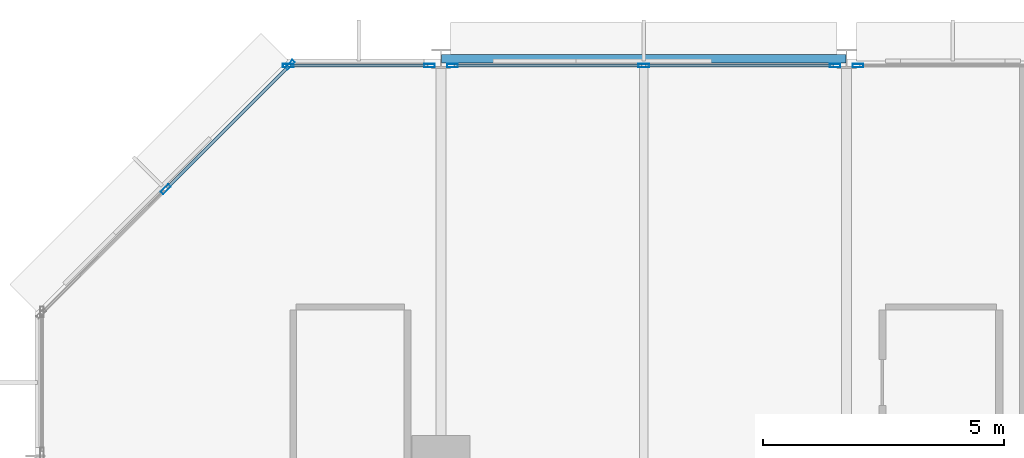
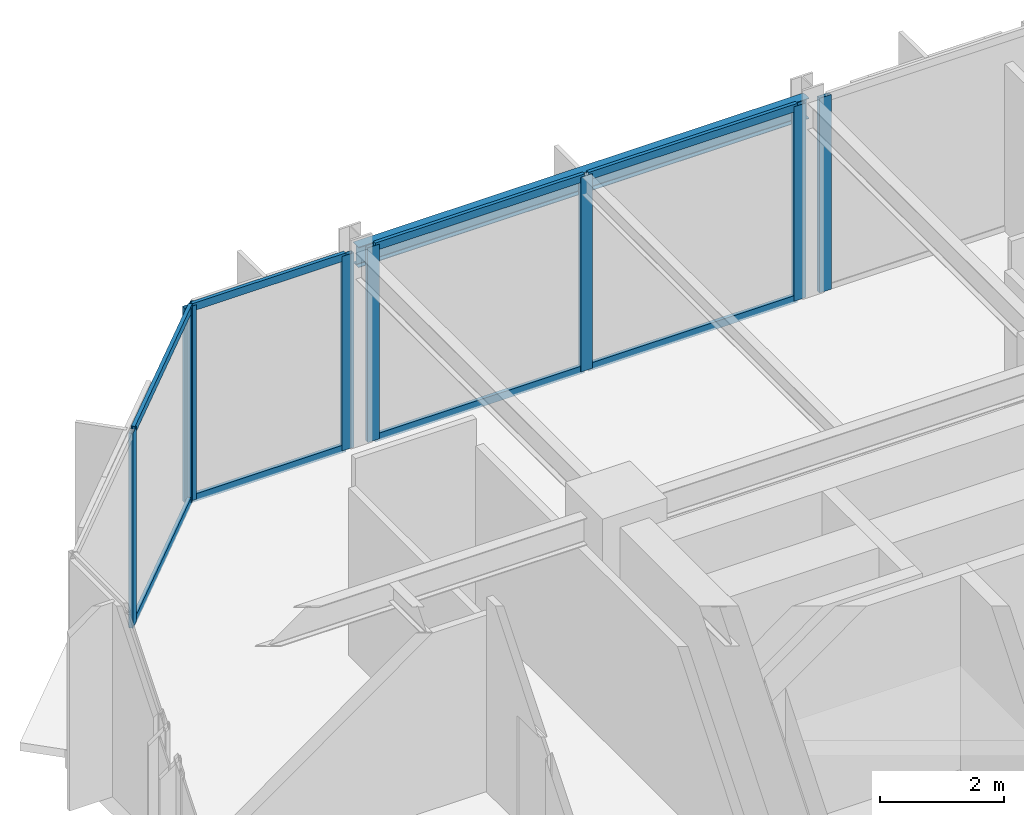
# One storey, part 15 of 25: 16 members, 1 beam, 4 elements without a shape of their own.
"""IFC4 building model written with IfcOpenShell, lengths in metres."""

from ifc_helpers import new_model, si_unit, direction, frame, origin, origin_2d, place, context, subcontext, project, spatial, hollow_rectangle, i_section, extrude, material, layer, layer_set, material_profile, profile_set, type_object, element, aggregate, save


model = new_model("IFC4")

# Units and contexts
model_context = context("Model", 3, precision=1e-05, world=origin(), true_north=direction((0.0, 1.0)))
body_context = subcontext(model_context, "Body", "Model", "MODEL_VIEW")
ifc_project = project(units=[si_unit("LENGTHUNIT", "METRE"), si_unit("AREAUNIT", "SQUARE_METRE"), si_unit("VOLUMEUNIT", "CUBIC_METRE"), si_unit("PLANEANGLEUNIT", "RADIAN"), si_unit("MASSUNIT", "GRAM", prefix="KILO")], contexts=[model_context])

# Site, building, storey
site_placement = place(None, origin())
site = spatial("IfcSite", under=ifc_project, at=site_placement, CompositionType="ELEMENT")
building_placement = place(site_placement, origin())
building = spatial("IfcBuilding", under=site, at=building_placement, Name="Nerrivon Quay Data Exchange", CompositionType="ELEMENT")
storey_placement = place(building_placement, frame((0.0, 0.0, 113.10009765625)))
storey = spatial("IfcBuildingStorey", under=building, at=storey_placement, Name="L26", CompositionType="ELEMENT", Elevation=113.10009765625)

# Beam
ifc_material_1 = material(Name="Steel Grade 350", Category="steel")
ifc_material_profile_1 = material_profile(ifc_material_1, i_section(OverallWidth=0.177978515625, OverallDepth=0.403076171875, WebThickness=0.007568359375, FlangeThickness=0.010986328125, FilletRadius=0.011474609375, at=origin_2d()), Name="410UB53.7")
ifc_profile_set_1 = profile_set([ifc_material_profile_1], Name="Steel Grade 350")
beam_type = type_object("IfcBeamType", Name="BM-SP2-410UB54", PredefinedType="SPANDREL", material=ifc_profile_set_1)
beam_placement = place(storey_placement, frame((8.41259765625, 50.39990234375, 3.623291015625), z_axis=(1.0, 0.0, 0.0), x_axis=(0.0, 1.0, 0.0)))
element("IfcBeam", 1, at=beam_placement, inside=storey, type_object=beam_type, Name="L26 EW Girder Y=50.4 (8.4..16.8)", PredefinedType="SPANDREL", context=body_context, shape_type="SweptSolid", body=[
    extrude(i_section(OverallWidth=0.177978515625, OverallDepth=0.403076171875, WebThickness=0.007568359375, FlangeThickness=0.010986328125, FilletRadius=0.011474609375, at=origin_2d()), origin(), (0.0, 0.0, 1.0), 8.375),
])

# Curtain wall, members
ifc_material_2 = material(Name="Anodised aluminium 6063-T6", Category="aluminium")
ifc_layer = layer(ifc_material_2, 0.22998046875)
ifc_layer_set = layer_set([ifc_layer], Name="Anodised aluminium 6063-T6")
curtain_wall_type = type_object("IfcCurtainWallType", Name="CW-SYS-05", PredefinedType="NOTDEFINED", material=ifc_layer_set)
curtain_wall_1_placement = place(storey_placement, origin())
curtain_wall_1 = element("IfcCurtainWall", 2, at=curtain_wall_1_placement, inside=storey, type_object=curtain_wall_type, Name="L26 Unitised Curtain Wall 18", PredefinedType="NOTDEFINED")
ifc_material_profile_2 = material_profile(ifc_material_2, hollow_rectangle(XDim=0.074951171875, YDim=0.219970703125, WallThickness=0.00390625, at=origin_2d()), Name="ALU-MULL-220x75")
ifc_profile_set_2 = profile_set([ifc_material_profile_2], Name="Anodised aluminium 6063-T6")
member_type_1 = type_object("IfcMemberType", Name="CWM-220x75", PredefinedType="MULLION", material=ifc_profile_set_2)
member_1_placement = place(storey_placement, frame((2.698974609375, 47.700927734375, 0.0), z_axis=(0.0, 0.0, 1.0), x_axis=(-0.707106781187, 0.707106781187, 0.0)))
member_1 = element("IfcMember", 3, at=member_1_placement, type_object=member_type_1, Name="CW05 mullion 2", PredefinedType="MULLION", context=body_context, shape_type="SweptSolid", body=[
    extrude(hollow_rectangle(XDim=0.074951171875, YDim=0.219970703125, WallThickness=0.00390625, at=origin_2d()), origin(), (0.0, 0.0, 1.0), 3.824951171875),
])
member_2_placement = place(storey_placement, frame((5.2724609375, 50.2744140625, 0.0), z_axis=(0.0, 0.0, 1.0), x_axis=(-0.707106781187, 0.707106781187, 0.0)))
member_2 = element("IfcMember", 4, at=member_2_placement, type_object=member_type_1, Name="CW05 mullion 3", PredefinedType="MULLION", context=body_context, shape_type="SweptSolid", body=[
    extrude(hollow_rectangle(XDim=0.074951171875, YDim=0.219970703125, WallThickness=0.00390625, at=origin_2d()), origin(), (0.0, 0.0, 1.0), 3.824951171875),
])

curtain_wall_2_placement = place(storey_placement, origin())
curtain_wall_2 = element("IfcCurtainWall", 5, at=curtain_wall_2_placement, inside=storey, type_object=curtain_wall_type, Name="L26 Unitised Curtain Wall 19", PredefinedType="NOTDEFINED")
member_3_placement = place(storey_placement, frame((5.237548828125, 50.260009765625, 0.0), z_axis=(0.0, 0.0, 1.0), x_axis=(0.0, 1.0, 0.0)))
member_3 = element("IfcMember", 6, at=member_3_placement, type_object=member_type_1, Name="CW05 mullion 1", PredefinedType="MULLION", context=body_context, shape_type="SweptSolid", body=[
    extrude(hollow_rectangle(XDim=0.074951171875, YDim=0.219970703125, WallThickness=0.00390625, at=origin_2d()), origin(), (0.0, 0.0, 1.0), 3.824951171875),
])
member_4_placement = place(storey_placement, frame((8.16259765625, 50.260009765625, 0.0), z_axis=(0.0, 0.0, 1.0), x_axis=(0.0, 1.0, 0.0)))
member_4 = element("IfcMember", 7, at=member_4_placement, type_object=member_type_1, Name="CW05 mullion 2", PredefinedType="MULLION", context=body_context, shape_type="SweptSolid", body=[
    extrude(hollow_rectangle(XDim=0.074951171875, YDim=0.219970703125, WallThickness=0.00390625, at=origin_2d()), origin(), (0.0, 0.0, 1.0), 3.824951171875),
])

curtain_wall_3_placement = place(storey_placement, origin())
curtain_wall_3 = element("IfcCurtainWall", 8, at=curtain_wall_3_placement, inside=storey, type_object=curtain_wall_type, Name="L26 Unitised Curtain Wall 20", PredefinedType="NOTDEFINED")
member_5_placement = place(storey_placement, frame((8.637451171875, 50.260009765625, 0.0), z_axis=(0.0, 0.0, 1.0), x_axis=(0.0, 1.0, 0.0)))
member_5 = element("IfcMember", 9, at=member_5_placement, type_object=member_type_1, Name="CW05 mullion 1", PredefinedType="MULLION", context=body_context, shape_type="SweptSolid", body=[
    extrude(hollow_rectangle(XDim=0.074951171875, YDim=0.219970703125, WallThickness=0.00390625, at=origin_2d()), origin(), (0.0, 0.0, 1.0), 3.824951171875),
])
member_6_placement = place(storey_placement, frame((12.60009765625, 50.260009765625, 0.0), z_axis=(0.0, 0.0, 1.0), x_axis=(0.0, 1.0, 0.0)))
member_6 = element("IfcMember", 10, at=member_6_placement, type_object=member_type_1, Name="CW05 mullion 2", PredefinedType="MULLION", context=body_context, shape_type="SweptSolid", body=[
    extrude(hollow_rectangle(XDim=0.074951171875, YDim=0.219970703125, WallThickness=0.00390625, at=origin_2d()), origin(), (0.0, 0.0, 1.0), 3.824951171875),
])
member_7_placement = place(storey_placement, frame((16.5625, 50.260009765625, 0.0), z_axis=(0.0, 0.0, 1.0), x_axis=(0.0, 1.0, 0.0)))
member_7 = element("IfcMember", 11, at=member_7_placement, type_object=member_type_1, Name="CW05 mullion 3", PredefinedType="MULLION", context=body_context, shape_type="SweptSolid", body=[
    extrude(hollow_rectangle(XDim=0.074951171875, YDim=0.219970703125, WallThickness=0.00390625, at=origin_2d()), origin(), (0.0, 0.0, 1.0), 3.824951171875),
])

# Curtain wall, member
curtain_wall_4_placement = place(storey_placement, origin())
curtain_wall_4 = element("IfcCurtainWall", 12, at=curtain_wall_4_placement, inside=storey, type_object=curtain_wall_type, Name="L26 Unitised Curtain Wall 21", PredefinedType="NOTDEFINED")
member_8_placement = place(storey_placement, frame((17.03759765625, 50.260009765625, 0.0), z_axis=(0.0, 0.0, 1.0), x_axis=(0.0, 1.0, 0.0)))
member_8 = element("IfcMember", 13, at=member_8_placement, type_object=member_type_1, Name="CW05 mullion 1", PredefinedType="MULLION", context=body_context, shape_type="SweptSolid", body=[
    extrude(hollow_rectangle(XDim=0.074951171875, YDim=0.219970703125, WallThickness=0.00390625, at=origin_2d()), origin(), (0.0, 0.0, 1.0), 3.824951171875),
])
aggregate(curtain_wall_4, [member_8])

# Member
ifc_material_profile_3 = material_profile(ifc_material_2, hollow_rectangle(XDim=0.06494140625, YDim=0.14990234375, WallThickness=0.00341796875, at=origin_2d()), Name="ALU-TRAN-150x65")
ifc_profile_set_3 = profile_set([ifc_material_profile_3], Name="Anodised aluminium 6063-T6")
member_type_2 = type_object("IfcMemberType", Name="CWT-150x65", PredefinedType="USERDEFINED", material=ifc_profile_set_3)
member_9_placement = place(storey_placement, frame((2.7255859375, 47.7275390625, 0.032470703125), z_axis=(0.707072532923, 0.707141027792, 0.0), x_axis=(-0.707141027792, 0.707072532923, 0.0)))
member_9 = element("IfcMember", 14, at=member_9_placement, type_object=member_type_2, Name="CW05 transom 2.1", ObjectType="TRANSOM", PredefinedType="USERDEFINED", context=body_context, shape_type="SweptSolid", body=[
    extrude(hollow_rectangle(XDim=0.06494140625, YDim=0.14990234375, WallThickness=0.00341796875, at=origin_2d()), origin(), (0.0, 0.0, 1.0), 3.564453125),
])

member_10_placement = place(storey_placement, frame((2.7255859375, 47.7275390625, 3.79248046875), z_axis=(0.707072532923, 0.707141027792, 0.0), x_axis=(-0.707141027792, 0.707072532923, 0.0)))
member_10 = element("IfcMember", 15, at=member_10_placement, type_object=member_type_2, Name="CW05 transom 2.2", ObjectType="TRANSOM", PredefinedType="USERDEFINED", context=body_context, shape_type="SweptSolid", body=[
    extrude(hollow_rectangle(XDim=0.06494140625, YDim=0.14990234375, WallThickness=0.00341796875, at=origin_2d()), origin(), (0.0, 0.0, 1.0), 3.564453125),
])

aggregate(curtain_wall_1, [member_1, member_2, member_9, member_10])

member_11_placement = place(storey_placement, frame((5.27490234375, 50.260009765625, 0.032470703125), z_axis=(1.0, 0.0, 0.0), x_axis=(0.0, 1.0, 0.0)))
member_11 = element("IfcMember", 16, at=member_11_placement, type_object=member_type_2, Name="CW05 transom 1.1", ObjectType="TRANSOM", PredefinedType="USERDEFINED", context=body_context, shape_type="SweptSolid", body=[
    extrude(hollow_rectangle(XDim=0.06494140625, YDim=0.14990234375, WallThickness=0.00341796875, at=origin_2d()), origin(), (0.0, 0.0, 1.0), 2.85009765625),
])

member_12_placement = place(storey_placement, frame((5.27490234375, 50.260009765625, 3.79248046875), z_axis=(1.0, 0.0, 0.0), x_axis=(0.0, 1.0, 0.0)))
member_12 = element("IfcMember", 17, at=member_12_placement, type_object=member_type_2, Name="CW05 transom 1.2", ObjectType="TRANSOM", PredefinedType="USERDEFINED", context=body_context, shape_type="SweptSolid", body=[
    extrude(hollow_rectangle(XDim=0.06494140625, YDim=0.14990234375, WallThickness=0.00341796875, at=origin_2d()), origin(), (0.0, 0.0, 1.0), 2.85009765625),
])

aggregate(curtain_wall_2, [member_3, member_4, member_11, member_12])

member_13_placement = place(storey_placement, frame((8.675048828125, 50.260009765625, 0.032470703125), z_axis=(1.0, 0.0, 0.0), x_axis=(0.0, 1.0, 0.0)))
member_13 = element("IfcMember", 18, at=member_13_placement, type_object=member_type_2, Name="CW05 transom 1.1", ObjectType="TRANSOM", PredefinedType="USERDEFINED", context=body_context, shape_type="SweptSolid", body=[
    extrude(hollow_rectangle(XDim=0.06494140625, YDim=0.14990234375, WallThickness=0.00341796875, at=origin_2d()), origin(), (0.0, 0.0, 1.0), 3.887451171875),
])

member_14_placement = place(storey_placement, frame((8.675048828125, 50.260009765625, 3.79248046875), z_axis=(1.0, 0.0, 0.0), x_axis=(0.0, 1.0, 0.0)))
member_14 = element("IfcMember", 19, at=member_14_placement, type_object=member_type_2, Name="CW05 transom 1.2", ObjectType="TRANSOM", PredefinedType="USERDEFINED", context=body_context, shape_type="SweptSolid", body=[
    extrude(hollow_rectangle(XDim=0.06494140625, YDim=0.14990234375, WallThickness=0.00341796875, at=origin_2d()), origin(), (0.0, 0.0, 1.0), 3.887451171875),
])

member_15_placement = place(storey_placement, frame((12.637451171875, 50.260009765625, 0.032470703125), z_axis=(1.0, 0.0, 0.0), x_axis=(0.0, 1.0, 0.0)))
member_15 = element("IfcMember", 20, at=member_15_placement, type_object=member_type_2, Name="CW05 transom 2.1", ObjectType="TRANSOM", PredefinedType="USERDEFINED", context=body_context, shape_type="SweptSolid", body=[
    extrude(hollow_rectangle(XDim=0.06494140625, YDim=0.14990234375, WallThickness=0.00341796875, at=origin_2d()), origin(), (0.0, 0.0, 1.0), 3.887451171875),
])

member_16_placement = place(storey_placement, frame((12.637451171875, 50.260009765625, 3.79248046875), z_axis=(1.0, 0.0, 0.0), x_axis=(0.0, 1.0, 0.0)))
member_16 = element("IfcMember", 21, at=member_16_placement, type_object=member_type_2, Name="CW05 transom 2.2", ObjectType="TRANSOM", PredefinedType="USERDEFINED", context=body_context, shape_type="SweptSolid", body=[
    extrude(hollow_rectangle(XDim=0.06494140625, YDim=0.14990234375, WallThickness=0.00341796875, at=origin_2d()), origin(), (0.0, 0.0, 1.0), 3.887451171875),
])

aggregate(curtain_wall_3, [member_5, member_6, member_7, member_13, member_14, member_15, member_16])

save(model, "model.ifc")
